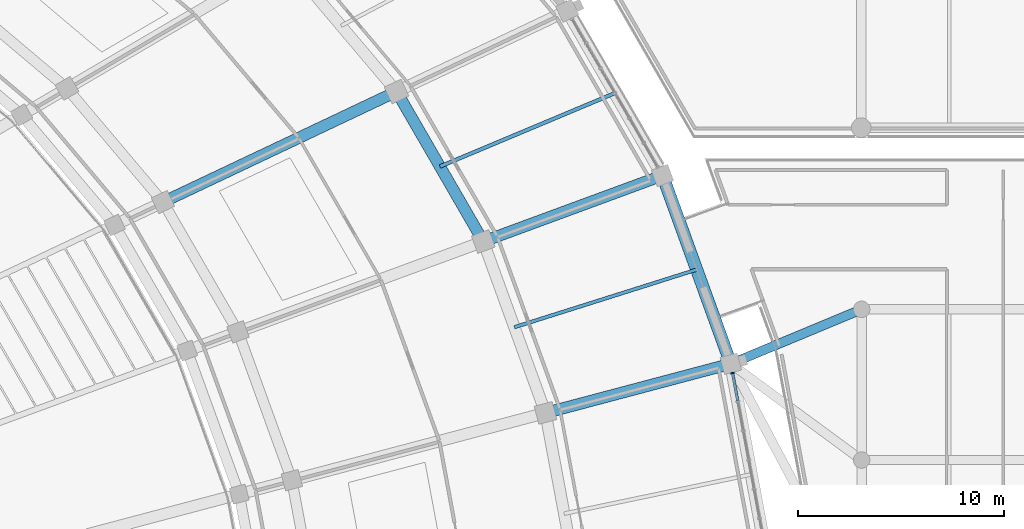
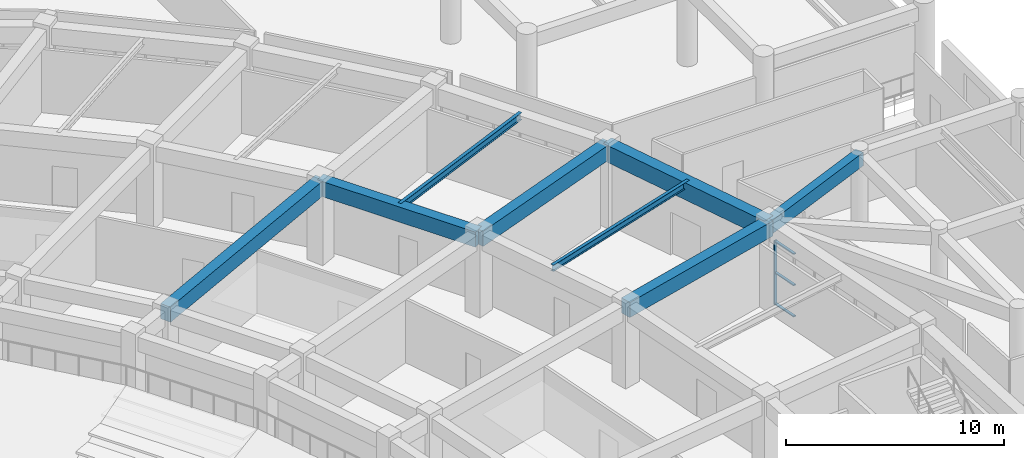
# One storey, part 52 of 152: 8 beams, 4 members, 1 element without a shape of its own.
"""IFC4 building model written with IfcOpenShell, lengths in metres."""

from ifc_helpers import new_model, si_unit, direction, frame, origin, origin_2d, place, context, subcontext, project, spatial, rectangle, i_section, extrude, material, layer, layer_set, material_profile, profile_set, type_object, element, aggregate, save


model = new_model("IFC4")

# Units and contexts
model_context = context("Model", 3, precision=1e-05, world=origin(), true_north=direction((0.0, 1.0)))
body_context = subcontext(model_context, "Body", "Model", "MODEL_VIEW")
ifc_project = project(units=[si_unit("LENGTHUNIT", "METRE"), si_unit("AREAUNIT", "SQUARE_METRE"), si_unit("VOLUMEUNIT", "CUBIC_METRE"), si_unit("PLANEANGLEUNIT", "RADIAN"), si_unit("MASSUNIT", "GRAM", prefix="KILO")], contexts=[model_context])

# Site, building, storey
site_placement = place(None, origin())
site = spatial("IfcSite", under=ifc_project, at=site_placement, CompositionType="ELEMENT")
building_placement = place(site_placement, origin())
building = spatial("IfcBuilding", under=site, at=building_placement, Name="Mphavela Belvedere Stadium", CompositionType="ELEMENT")
storey_placement = place(building_placement, frame((0.0, 0.0, 5.39990234375)))
storey = spatial("IfcBuildingStorey", under=building, at=storey_placement, Name="L01", CompositionType="ELEMENT", Elevation=5.39990234375)

# Beams
ifc_material_1 = material(Name="Concrete C40/50", Category="concrete")
ifc_material_profile_1 = material_profile(ifc_material_1, rectangle(XDim=0.60009765625, YDim=0.949951171875, at=origin_2d()), Name="RC 600x950")
ifc_profile_set_1 = profile_set([ifc_material_profile_1], Name="Concrete C40/50")
beam_type_1 = type_object("IfcBeamType", Name="BM-ENTABLATURE-950", PredefinedType="SPANDREL", material=ifc_profile_set_1)
beam_1_placement = place(storey_placement, frame((215.16455078125, 113.5625, 4.0751953125), z_axis=(-0.341017570596, 0.94005692197, 0.0), x_axis=(-0.94005692197, -0.341017570596, 0.0)))
element("IfcBeam", 1, at=beam_1_placement, inside=storey, type_object=beam_type_1, Name="Circumferential girder L01 R4-03", PredefinedType="SPANDREL", context=body_context, shape_type="SweptSolid", body=[
    extrude(rectangle(XDim=0.60009765625, YDim=0.949951171875, at=origin_2d()), origin(), (0.0, 0.0, 1.0), 9.701416015625),
])
ifc_material_2 = material(Name="Steel S355", Category="steel")
ifc_material_profile_2 = material_profile(ifc_material_2, i_section(OverallWidth=0.169921875, OverallDepth=0.360107421875, WebThickness=0.008056640625, FlangeThickness=0.0126953125, at=origin_2d()), Name="IPE 360")
ifc_profile_set_2 = profile_set([ifc_material_profile_2], Name="Steel S355")
beam_type_2 = type_object("IfcBeamType", Name="BM-JOIST-IPE360", PredefinedType="JOIST", material=ifc_profile_set_2)
beam_2_placement = place(storey_placement, frame((204.681640625, 115.3330078125, 4.3701171875), z_axis=(0.953544002003, 0.301253773826, 0.0), x_axis=(-0.301253773826, 0.953544002003, 0.0)))
element("IfcBeam", 2, at=beam_2_placement, inside=storey, type_object=beam_type_2, Name="Concourse floor joist L01-03", PredefinedType="JOIST", context=body_context, shape_type="SweptSolid", body=[
    extrude(i_section(OverallWidth=0.169921875, OverallDepth=0.360107421875, WebThickness=0.008056640625, FlangeThickness=0.0126953125, at=origin_2d()), origin(), (0.0, 0.0, 1.0), 9.259033203125),
])
ifc_material_3 = material(Name="Steel S355", Category="steel")
ifc_material_profile_3 = material_profile(ifc_material_3, i_section(OverallWidth=0.179931640625, OverallDepth=0.39990234375, WebThickness=0.008544921875, FlangeThickness=0.013427734375, at=origin_2d()), Name="IPE 400")
ifc_profile_set_3 = profile_set([ifc_material_profile_3], Name="Steel S355")
beam_type_3 = type_object("IfcBeamType", Name="BM-JOIST-IPE400", PredefinedType="JOIST", material=ifc_profile_set_3)
beam_3_placement = place(storey_placement, frame((201.07568359375, 123.116455078125, 4.35009765625), z_axis=(0.922118257552, 0.3869081533, 0.0), x_axis=(-0.3869081533, 0.922118257552, 0.0)))
element("IfcBeam", 3, at=beam_3_placement, inside=storey, type_object=beam_type_3, Name="Concourse floor joist L01-04", PredefinedType="JOIST", context=body_context, shape_type="SweptSolid", body=[
    extrude(i_section(OverallWidth=0.179931640625, OverallDepth=0.39990234375, WebThickness=0.008544921875, FlangeThickness=0.013427734375, at=origin_2d()), origin(), (0.0, 0.0, 1.0), 9.189208984375),
])
ifc_material_4 = material(Name="Concrete C40/50", Category="concrete")
ifc_material_profile_4 = material_profile(ifc_material_4, rectangle(XDim=0.449951171875, YDim=0.75, at=origin_2d()), Name="RC 450x750")
ifc_profile_set_4 = profile_set([ifc_material_profile_4], Name="Concrete C40/50")
beam_type_4 = type_object("IfcBeamType", Name="BM-RC450x750", PredefinedType="BEAM", material=ifc_profile_set_4)
beam_4_placement = place(storey_placement, frame((221.5, 116.199951171875, 4.1650390625), z_axis=(-0.923196868172, -0.38432738986, 0.0), x_axis=(0.38432738986, -0.923196868172, 0.0)))
element("IfcBeam", 4, at=beam_4_placement, inside=storey, type_object=beam_type_4, Name="East Planted Eaves Peristyle Colonnade bowl link girder L01-6", PredefinedType="BEAM", context=body_context, shape_type="SweptSolid", body=[
    extrude(rectangle(XDim=0.449951171875, YDim=0.75, at=origin_2d()), origin(), (0.0, 0.0, 1.0), 6.862548828125),
])
ifc_material_5 = material(Name="Concrete C40/50", Category="concrete")
ifc_material_profile_5 = material_profile(ifc_material_5, rectangle(XDim=0.550048828125, YDim=0.85009765625, at=origin_2d()), Name="RC 550x850")
ifc_profile_set_5 = profile_set([ifc_material_profile_5], Name="Concrete C40/50")
beam_type_5 = type_object("IfcBeamType", Name="BM-RC550x850", PredefinedType="BEAM", material=ifc_profile_set_5)
beam_5_placement = place(storey_placement, frame((206.1875, 111.181884765625, 4.125), z_axis=(0.966589609073, 0.256328944196, 0.0), x_axis=(-0.256328944196, 0.966589609073, 0.0)))
element("IfcBeam", 5, at=beam_5_placement, inside=storey, type_object=beam_type_5, Name="Radial concourse girder L01 R3R4-03", PredefinedType="BEAM", context=body_context, shape_type="SweptSolid", body=[
    extrude(rectangle(XDim=0.550048828125, YDim=0.85009765625, at=origin_2d()), origin(), (0.0, 0.0, 1.0), 9.287353515625),
])
beam_6_placement = place(storey_placement, frame((203.175537109375, 119.484375, 4.125), z_axis=(-0.500547586322, 0.865709023765, 0.0), x_axis=(-0.865709023765, -0.500547586322, 0.0)))
element("IfcBeam", 6, at=beam_6_placement, inside=storey, type_object=beam_type_5, Name="Circumferential girder L01 R3-04", PredefinedType="BEAM", context=body_context, shape_type="SweptSolid", body=[
    extrude(rectangle(XDim=0.550048828125, YDim=0.85009765625, at=origin_2d()), origin(), (0.0, 0.0, 1.0), 8.390625),
])
beam_7_placement = place(storey_placement, frame((203.175537109375, 119.484375, 4.125), z_axis=(0.938348073025, 0.345691905967, 0.0), x_axis=(-0.345691905967, 0.938348073025, 0.0)))
element("IfcBeam", 7, at=beam_7_placement, inside=storey, type_object=beam_type_5, Name="Radial concourse girder L01 R3R4-04", PredefinedType="BEAM", context=body_context, shape_type="SweptSolid", body=[
    extrude(rectangle(XDim=0.550048828125, YDim=0.85009765625, at=origin_2d()), origin(), (0.0, 0.0, 1.0), 9.2509765625),
])
beam_8_placement = place(storey_placement, frame((187.66259765625, 121.393798828125, 4.125), z_axis=(0.903870454162, 0.427806267009, 0.0), x_axis=(-0.427806267009, 0.903870454162, 0.0)))
element("IfcBeam", 8, at=beam_8_placement, inside=storey, type_object=beam_type_5, Name="Radial concourse girder L01 R2R3-05", PredefinedType="BEAM", context=body_context, shape_type="SweptSolid", body=[
    extrude(rectangle(XDim=0.550048828125, YDim=0.85009765625, at=origin_2d()), origin(), (0.0, 0.0, 1.0), 12.51611328125),
])

# Curtain wall, members
ifc_material_6 = material(Name="Anodised bronze unitised curtain wall framing")
ifc_layer = layer(ifc_material_6, 0.179931640625)
ifc_layer_set = layer_set([ifc_layer], Name="Anodised bronze unitised curtain wall framing")
curtain_wall_type = type_object("IfcCurtainWallType", Name="CW-UNIT-01", PredefinedType="USERDEFINED", material=ifc_layer_set)
curtain_wall_placement = place(storey_placement, origin())
curtain_wall = element("IfcCurtainWall", 9, at=curtain_wall_placement, inside=storey, type_object=curtain_wall_type, Name="Belvedere colonnade curtain wall L01-02", ObjectType="UNITISED CURTAIN WALL", PredefinedType="USERDEFINED")
ifc_material_7 = material(Name="Anodised bronze extruded aluminium", Category="aluminium")
ifc_material_profile_6 = material_profile(ifc_material_7, rectangle(XDim=0.179931640625, YDim=0.06494140625, at=origin_2d()), Name="CW-MUL 180x65")
ifc_profile_set_6 = profile_set([ifc_material_profile_6], Name="Anodised bronze extruded aluminium")
member_type_1 = type_object("IfcMemberType", Name="CWM-180x65", PredefinedType="MULLION", material=ifc_profile_set_6)
member_1_placement = place(storey_placement, frame((215.247802734375, 113.11474609375, 0.0), z_axis=(0.0, 0.0, 1.0), x_axis=(-0.983183659932, -0.182619524814, 0.0)))
member_1 = element("IfcMember", 10, at=member_1_placement, type_object=member_type_1, Name="CW-01 mullion 8", PredefinedType="MULLION", context=body_context, shape_type="SweptSolid", body=[
    extrude(rectangle(XDim=0.179931640625, YDim=0.06494140625, at=origin_2d()), origin(), (0.0, 0.0, 1.0), 3.570068359375),
])
ifc_material_8 = material(Name="Anodised bronze extruded aluminium", Category="aluminium")
ifc_material_profile_7 = material_profile(ifc_material_8, rectangle(XDim=0.139892578125, YDim=0.06005859375, at=origin_2d()), Name="CW-TRN 140x60")
ifc_profile_set_7 = profile_set([ifc_material_profile_7], Name="Anodised bronze extruded aluminium")
member_type_2 = type_object("IfcMemberType", Name="CWT-140x60", PredefinedType="USERDEFINED", material=ifc_profile_set_7)
member_2_placement = place(storey_placement, frame((215.498291015625, 111.766357421875, 0.030029296875), z_axis=(-0.182702984159, 0.983168154275, 0.0), x_axis=(-0.983168154275, -0.182702984159, 0.0)))
member_2 = element("IfcMember", 11, at=member_2_placement, type_object=member_type_2, Name="CW-01 transom 7.1", ObjectType="TRANSOM", PredefinedType="USERDEFINED", context=body_context, shape_type="SweptSolid", body=[
    extrude(rectangle(XDim=0.139892578125, YDim=0.06005859375, at=origin_2d()), origin(), (0.0, 0.0, 1.0), 1.3388671875),
])
member_3_placement = place(storey_placement, frame((215.498291015625, 111.766357421875, 1.78515625), z_axis=(-0.182702984159, 0.983168154275, 0.0), x_axis=(-0.983168154275, -0.182702984159, 0.0)))
member_3 = element("IfcMember", 12, at=member_3_placement, type_object=member_type_2, Name="CW-01 transom 7.2", ObjectType="TRANSOM", PredefinedType="USERDEFINED", context=body_context, shape_type="SweptSolid", body=[
    extrude(rectangle(XDim=0.139892578125, YDim=0.06005859375, at=origin_2d()), origin(), (0.0, 0.0, 1.0), 1.3388671875),
])
member_4_placement = place(storey_placement, frame((215.498291015625, 111.766357421875, 3.5400390625), z_axis=(-0.182702984159, 0.983168154275, 0.0), x_axis=(-0.983168154275, -0.182702984159, 0.0)))
member_4 = element("IfcMember", 13, at=member_4_placement, type_object=member_type_2, Name="CW-01 transom 7.3", ObjectType="TRANSOM", PredefinedType="USERDEFINED", context=body_context, shape_type="SweptSolid", body=[
    extrude(rectangle(XDim=0.139892578125, YDim=0.06005859375, at=origin_2d()), origin(), (0.0, 0.0, 1.0), 1.3388671875),
])
aggregate(curtain_wall, [member_1, member_2, member_3, member_4])

save(model, "model.ifc")
